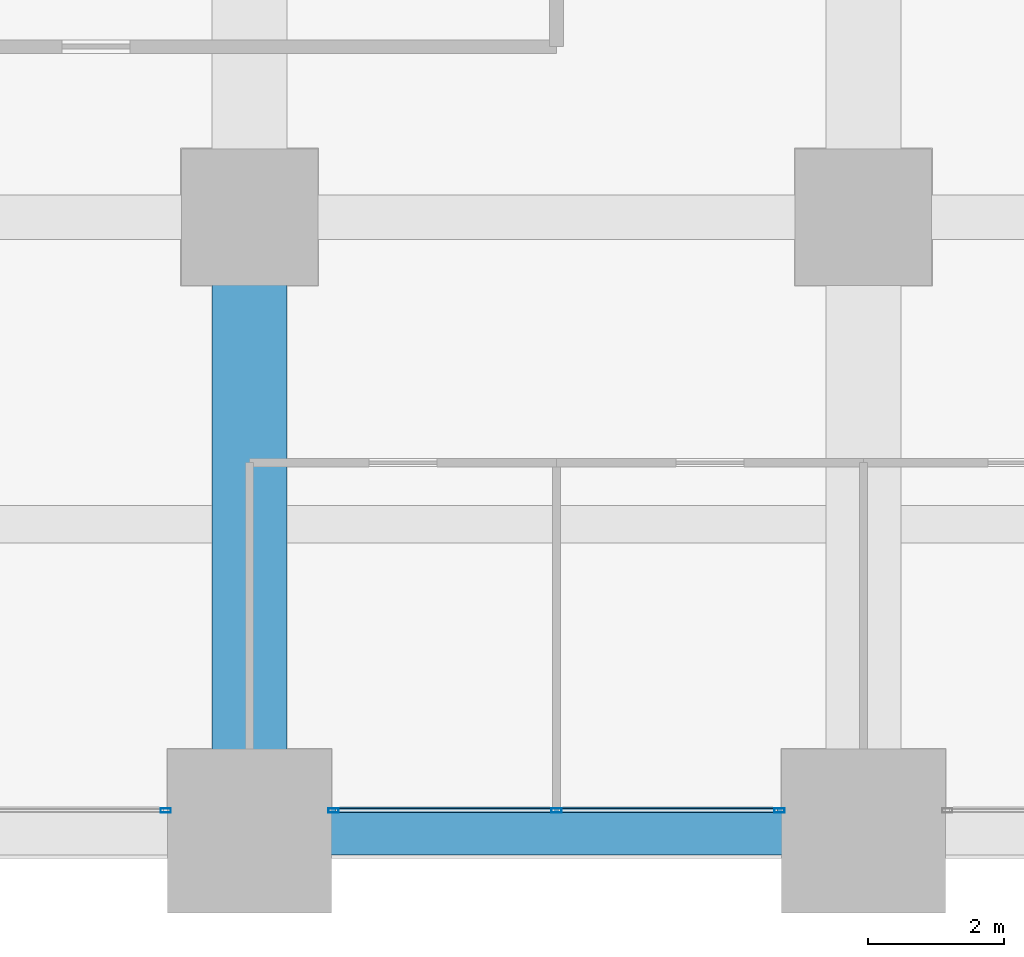
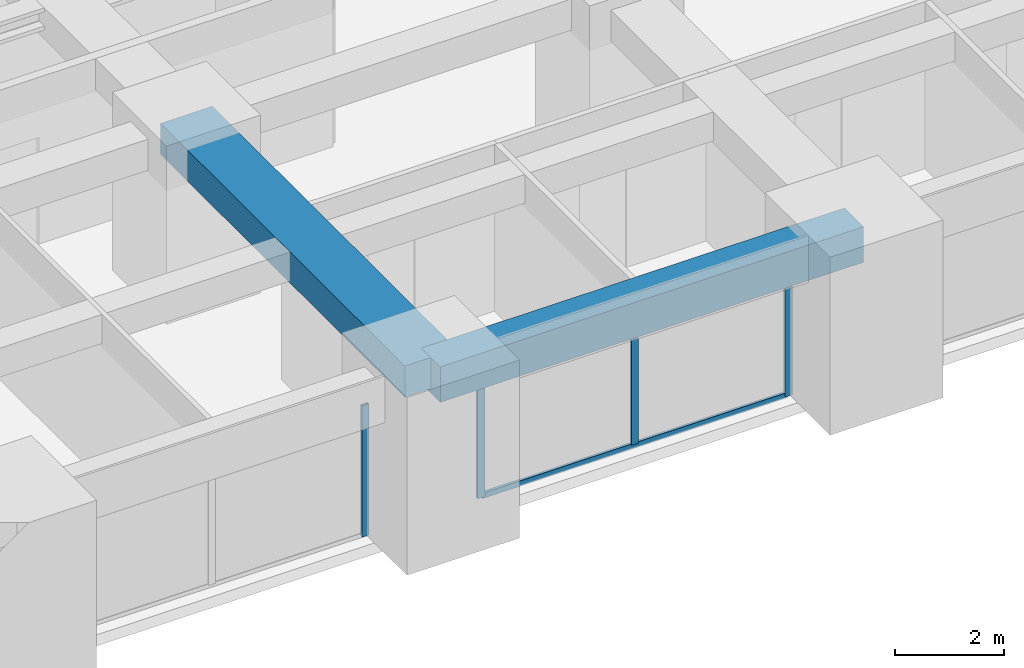
# One storey, part 13 of 41: 5 members, 2 beams, 2 elements without a shape of their own.
"""IFC4 building model written with IfcOpenShell, lengths in metres."""

from ifc_helpers import new_model, si_unit, direction, frame, origin, origin_2d, place, context, subcontext, project, spatial, rectangle, hollow_rectangle, extrude, material, material_profile, profile_set, type_object, element, aggregate, save


model = new_model("IFC4")

# Units and contexts
model_context = context("Model", 3, precision=1e-05, world=origin(), true_north=direction((0.0, 1.0)))
body_context = subcontext(model_context, "Body", "Model", "MODEL_VIEW")
ifc_project = project(units=[si_unit("LENGTHUNIT", "METRE"), si_unit("AREAUNIT", "SQUARE_METRE"), si_unit("VOLUMEUNIT", "CUBIC_METRE"), si_unit("PLANEANGLEUNIT", "RADIAN"), si_unit("MASSUNIT", "GRAM", prefix="KILO")], contexts=[model_context])

# Site, building, storey
site_placement = place(None, origin())
site = spatial("IfcSite", under=ifc_project, at=site_placement, CompositionType="ELEMENT")
building_placement = place(site_placement, origin())
building = spatial("IfcBuilding", under=site, at=building_placement, Name="Zorevar Civic Tower", CompositionType="ELEMENT")
storey_placement = place(building_placement, frame((0.0, 0.0, 105.0)))
storey = spatial("IfcBuildingStorey", under=building, at=storey_placement, Name="L25", CompositionType="ELEMENT", Elevation=105.0)

# Beam
ifc_material_1 = material(Name="Concrete C50/60", Category="concrete")
ifc_material_profile_1 = material_profile(ifc_material_1, rectangle(XDim=1.10009765625, YDim=0.699951171875, at=origin_2d()), Name="RC 1100x700")
ifc_profile_set_1 = profile_set([ifc_material_profile_1], Name="Concrete C50/60")
beam_type_1 = type_object("IfcBeamType", Name="Beam RC 1100x700", PredefinedType="BEAM", material=ifc_profile_set_1)
beam_1_placement = place(storey_placement, frame((36.0, 0.0, 3.39990234375), z_axis=(0.0, 1.0, 0.0), x_axis=(-1.0, 0.0, 0.0)))
element("IfcBeam", 1, at=beam_1_placement, inside=storey, type_object=beam_type_1, Name="Girder L26", PredefinedType="BEAM", context=body_context, shape_type="SweptSolid", body=[
    extrude(rectangle(XDim=1.10009765625, YDim=0.699951171875, at=origin_2d()), origin(), (0.0, 0.0, 1.0), 9.0),
])

# Curtain wall, member
ifc_material_2 = material(Name="Dark grey solar-control glass in black aluminium frame", Category="aluminium")
curtain_wall_type = type_object("IfcCurtainWallType", Name="Curtain wall CW3 mid zone", PredefinedType="NOTDEFINED", material=ifc_material_2)
curtain_wall_1_placement = place(storey_placement, origin())
curtain_wall_1 = element("IfcCurtainWall", 2, at=curtain_wall_1_placement, inside=storey, type_object=curtain_wall_type, Name="CW3 L25", PredefinedType="NOTDEFINED")
ifc_material_3 = material(Name="Aluminium, black anodised", Category="aluminium")
ifc_material_profile_2 = material_profile(ifc_material_3, hollow_rectangle(XDim=0.06005859375, YDim=0.14990234375, WallThickness=0.00390625, at=origin_2d()), Name="AL 150x60x4")
ifc_profile_set_2 = profile_set([ifc_material_profile_2], Name="Aluminium, black anodised")
member_type_1 = type_object("IfcMemberType", Name="CW3 mullion AL 150x60x4", PredefinedType="MULLION", material=ifc_profile_set_2)
member_1_placement = place(storey_placement, frame((34.77001953125, 0.300048828125, 0.0), z_axis=(0.0, 0.0, 1.0), x_axis=(0.0, 1.0, 0.0)))
member_1 = element("IfcMember", 3, at=member_1_placement, type_object=member_type_1, Name="CW3 mullion 3", PredefinedType="MULLION", context=body_context, shape_type="SweptSolid", body=[
    extrude(hollow_rectangle(XDim=0.06005859375, YDim=0.14990234375, WallThickness=0.00390625, at=origin_2d()), origin(), (0.0, 0.0, 1.0), 2.949951171875),
])
aggregate(curtain_wall_1, [member_1])

# Curtain wall, members
curtain_wall_2_placement = place(storey_placement, origin())
curtain_wall_2 = element("IfcCurtainWall", 4, at=curtain_wall_2_placement, inside=storey, type_object=curtain_wall_type, Name="CW3 L25", PredefinedType="NOTDEFINED")
member_2_placement = place(storey_placement, frame((37.22998046875, 0.300048828125, 0.0), z_axis=(0.0, 0.0, 1.0), x_axis=(0.0, 1.0, 0.0)))
member_2 = element("IfcMember", 5, at=member_2_placement, type_object=member_type_1, Name="CW3 mullion 1", PredefinedType="MULLION", context=body_context, shape_type="SweptSolid", body=[
    extrude(hollow_rectangle(XDim=0.06005859375, YDim=0.14990234375, WallThickness=0.00390625, at=origin_2d()), origin(), (0.0, 0.0, 1.0), 2.949951171875),
])
member_3_placement = place(storey_placement, frame((40.5, 0.300048828125, 0.06005859375), z_axis=(0.0, 0.0, 1.0), x_axis=(0.0, 1.0, 0.0)))
member_3 = element("IfcMember", 6, at=member_3_placement, type_object=member_type_1, Name="CW3 mullion 2", PredefinedType="MULLION", context=body_context, shape_type="SweptSolid", body=[
    extrude(hollow_rectangle(XDim=0.06005859375, YDim=0.14990234375, WallThickness=0.00390625, at=origin_2d()), origin(), (0.0, 0.0, 1.0), 2.889892578125),
])
member_4_placement = place(storey_placement, frame((43.77001953125, 0.300048828125, 0.0), z_axis=(0.0, 0.0, 1.0), x_axis=(0.0, 1.0, 0.0)))
member_4 = element("IfcMember", 7, at=member_4_placement, type_object=member_type_1, Name="CW3 mullion 3", PredefinedType="MULLION", context=body_context, shape_type="SweptSolid", body=[
    extrude(hollow_rectangle(XDim=0.06005859375, YDim=0.14990234375, WallThickness=0.00390625, at=origin_2d()), origin(), (0.0, 0.0, 1.0), 2.949951171875),
])
ifc_material_4 = material(Name="Aluminium, black anodised", Category="aluminium")
ifc_material_profile_3 = material_profile(ifc_material_4, hollow_rectangle(XDim=0.06005859375, YDim=0.1201171875, WallThickness=0.0029296875, at=origin_2d()), Name="AL 120x60x3")
ifc_profile_set_3 = profile_set([ifc_material_profile_3], Name="Aluminium, black anodised")
member_type_2 = type_object("IfcMemberType", Name="CW3 transom AL 120x60x3", PredefinedType="USERDEFINED", material=ifc_profile_set_3)
member_5_placement = place(storey_placement, frame((37.260009765625, 0.300048828125, 0.030029296875), z_axis=(1.0, 0.0, 0.0), x_axis=(0.0, 1.0, 0.0)))
member_5 = element("IfcMember", 8, at=member_5_placement, type_object=member_type_2, Name="CW3 sill transom", ObjectType="TRANSOM", PredefinedType="USERDEFINED", context=body_context, shape_type="SweptSolid", body=[
    extrude(hollow_rectangle(XDim=0.06005859375, YDim=0.1201171875, WallThickness=0.0029296875, at=origin_2d()), origin(), (0.0, 0.0, 1.0), 6.47998046875),
])
aggregate(curtain_wall_2, [member_2, member_3, member_4, member_5])

# Beam
ifc_material_5 = material(Name="Concrete C50/60", Category="concrete")
ifc_material_profile_4 = material_profile(ifc_material_5, rectangle(XDim=0.699951171875, YDim=0.800048828125, at=origin_2d()), Name="RC 700x800")
ifc_profile_set_4 = profile_set([ifc_material_profile_4], Name="Concrete C50/60")
beam_type_2 = type_object("IfcBeamType", Name="Edge beam RC 700x800", PredefinedType="SPANDREL", material=ifc_profile_set_4)
beam_2_placement = place(storey_placement, frame((36.0, 0.0, 3.35009765625), z_axis=(1.0, 0.0, 0.0), x_axis=(0.0, 1.0, 0.0)))
element("IfcBeam", 9, at=beam_2_placement, inside=storey, type_object=beam_type_2, Name="Edge beam L26", PredefinedType="SPANDREL", context=body_context, shape_type="SweptSolid", body=[
    extrude(rectangle(XDim=0.699951171875, YDim=0.800048828125, at=origin_2d()), origin(), (0.0, 0.0, 1.0), 9.0),
])

save(model, "model.ifc")
